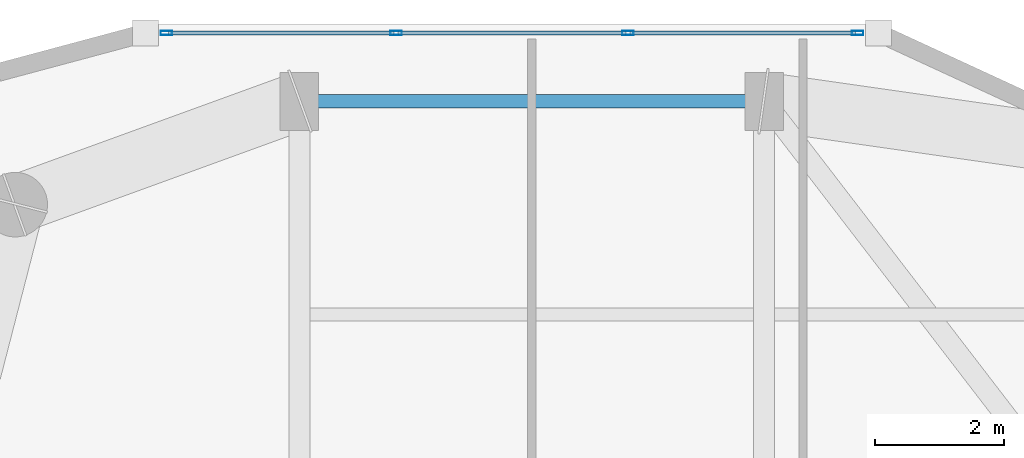
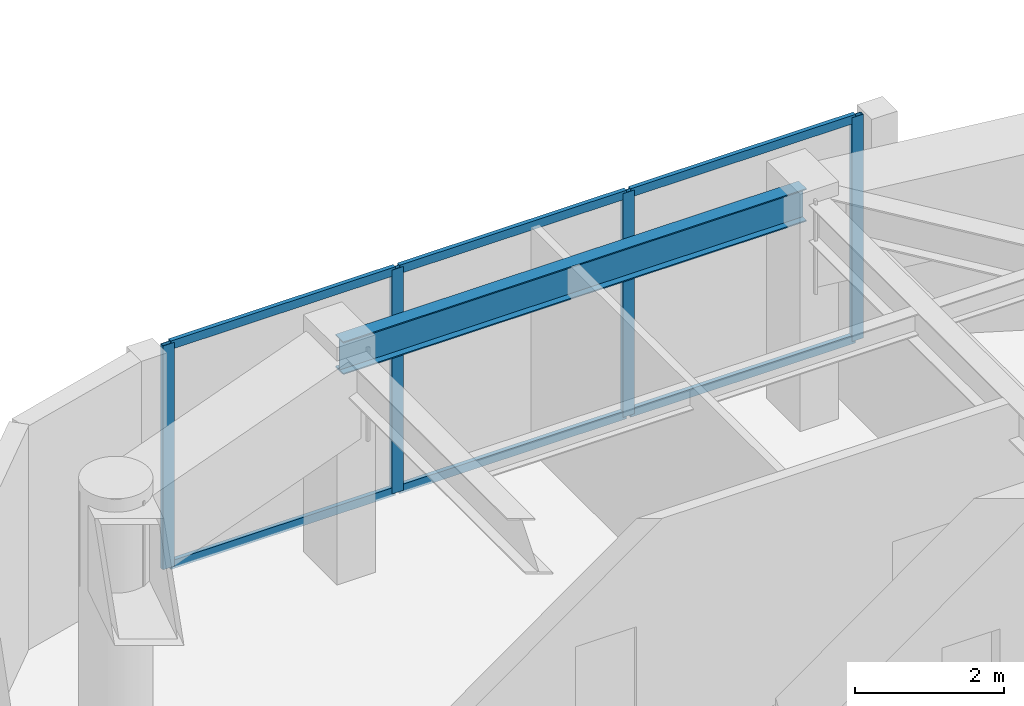
# One storey, part 6 of 15: 10 members, 1 beam, 1 element without a shape of its own.
"""IFC4 building model written with IfcOpenShell, lengths in metres."""

from ifc_helpers import new_model, si_unit, direction, frame, origin, origin_2d, place, context, subcontext, project, spatial, hollow_rectangle, i_section, extrude, material, layer, layer_set, material_profile, profile_set, type_object, element, aggregate, save


model = new_model("IFC4")

# Units and contexts
model_context = context("Model", 3, precision=1e-05, world=origin(), true_north=direction((0.0, 1.0)))
body_context = subcontext(model_context, "Body", "Model", "MODEL_VIEW")
ifc_project = project(units=[si_unit("LENGTHUNIT", "METRE"), si_unit("AREAUNIT", "SQUARE_METRE"), si_unit("VOLUMEUNIT", "CUBIC_METRE"), si_unit("PLANEANGLEUNIT", "RADIAN"), si_unit("MASSUNIT", "GRAM", prefix="KILO")], contexts=[model_context])

# Site, building, storey
site_placement = place(None, origin())
site = spatial("IfcSite", under=ifc_project, at=site_placement, CompositionType="ELEMENT")
building_placement = place(site_placement, origin())
building = spatial("IfcBuilding", under=site, at=building_placement, Name="Kiyonajd Concourse Tower", CompositionType="ELEMENT")
storey_placement = place(building_placement, frame((0.0, 0.0, 270.60009765625)))
storey = spatial("IfcBuildingStorey", under=building, at=storey_placement, Name="L68", CompositionType="ELEMENT", Elevation=270.60009765625)

# Beam
ifc_material_1 = material(Name="Steel ASTM A992 Grade 50", Category="steel")
ifc_material_profile_1 = material_profile(ifc_material_1, i_section(OverallWidth=0.2109375, OverallDepth=0.5390625, WebThickness=0.01171875, FlangeThickness=0.018798828125, at=origin_2d()), Name="W530X109")
ifc_profile_set_1 = profile_set([ifc_material_profile_1], Name="Steel ASTM A992 Grade 50")
beam_type = type_object("IfcBeamType", Name="BM-SPAN-530B", PredefinedType="SPANDREL", material=ifc_profile_set_1)
beam_placement = place(storey_placement, frame((39.60009765625, 52.199951171875, 3.410400390625), z_axis=(-1.0, 0.0, 0.0), x_axis=(0.0, -1.0, 0.0)))
element("IfcBeam", 1, at=beam_placement, inside=storey, type_object=beam_type, Name="L68 Perimeter Bundled Tube Spandrel", PredefinedType="SPANDREL", context=body_context, shape_type="SweptSolid", body=[
    extrude(i_section(OverallWidth=0.2109375, OverallDepth=0.5390625, WebThickness=0.01171875, FlangeThickness=0.018798828125, at=origin_2d()), origin(), (0.0, 0.0, 1.0), 7.2001953125),
])

# Curtain wall, members
ifc_material_2 = material(Name="Thermally Broken Anodised Aluminium", Category="aluminium")
ifc_layer = layer(ifc_material_2, 0.179931640625)
ifc_layer_set = layer_set([ifc_layer], Name="Thermally Broken Anodised Aluminium")
curtain_wall_type = type_object("IfcCurtainWallType", Name="CW-SYS-04", PredefinedType="NOTDEFINED", material=ifc_layer_set)
curtain_wall_placement = place(storey_placement, origin())
curtain_wall = element("IfcCurtainWall", 2, at=curtain_wall_placement, inside=storey, type_object=curtain_wall_type, Name="L68 Unitised Curtain Wall CW4", PredefinedType="NOTDEFINED")
ifc_material_profile_2 = material_profile(ifc_material_2, hollow_rectangle(XDim=0.06494140625, YDim=0.179931640625, WallThickness=0.00390625, at=origin_2d()), Name="MULL-65x180")
ifc_profile_set_2 = profile_set([ifc_material_profile_2], Name="Thermally Broken Anodised Aluminium")
member_type_1 = type_object("IfcMemberType", Name="MB-CW-MULL1", PredefinedType="MULLION", material=ifc_profile_set_2)
member_1_placement = place(storey_placement, frame((30.3408203125, 53.260009765625, 0.0), z_axis=(0.0, 0.0, 1.0), x_axis=(0.0, 1.0, 0.0)))
member_1 = element("IfcMember", 3, at=member_1_placement, type_object=member_type_1, Name="CW4 mullion 1", PredefinedType="MULLION", context=body_context, shape_type="SweptSolid", body=[
    extrude(hollow_rectangle(XDim=0.06494140625, YDim=0.179931640625, WallThickness=0.00390625, at=origin_2d()), origin(), (0.0, 0.0, 1.0), 3.679931640625),
])
member_2_placement = place(storey_placement, frame((33.898681640625, 53.260009765625, 0.0), z_axis=(0.0, 0.0, 1.0), x_axis=(0.0, 1.0, 0.0)))
member_2 = element("IfcMember", 4, at=member_2_placement, type_object=member_type_1, Name="CW4 mullion 2", PredefinedType="MULLION", context=body_context, shape_type="SweptSolid", body=[
    extrude(hollow_rectangle(XDim=0.06494140625, YDim=0.179931640625, WallThickness=0.00390625, at=origin_2d()), origin(), (0.0, 0.0, 1.0), 3.679931640625),
])
member_3_placement = place(storey_placement, frame((37.489013671875, 53.260009765625, 0.0), z_axis=(0.0, 0.0, 1.0), x_axis=(0.0, 1.0, 0.0)))
member_3 = element("IfcMember", 5, at=member_3_placement, type_object=member_type_1, Name="CW4 mullion 3", PredefinedType="MULLION", context=body_context, shape_type="SweptSolid", body=[
    extrude(hollow_rectangle(XDim=0.06494140625, YDim=0.179931640625, WallThickness=0.00390625, at=origin_2d()), origin(), (0.0, 0.0, 1.0), 3.679931640625),
])
member_4_placement = place(storey_placement, frame((41.046875, 53.260009765625, 0.0), z_axis=(0.0, 0.0, 1.0), x_axis=(0.0, 1.0, 0.0)))
member_4 = element("IfcMember", 6, at=member_4_placement, type_object=member_type_1, Name="CW4 mullion 4", PredefinedType="MULLION", context=body_context, shape_type="SweptSolid", body=[
    extrude(hollow_rectangle(XDim=0.06494140625, YDim=0.179931640625, WallThickness=0.00390625, at=origin_2d()), origin(), (0.0, 0.0, 1.0), 3.679931640625),
])
ifc_material_profile_3 = material_profile(ifc_material_2, hollow_rectangle(XDim=0.06494140625, YDim=0.139892578125, WallThickness=0.00390625, at=origin_2d()), Name="TRAN-65x140")
ifc_profile_set_3 = profile_set([ifc_material_profile_3], Name="Thermally Broken Anodised Aluminium")
member_type_2 = type_object("IfcMemberType", Name="MB-CW-TRAN1", PredefinedType="USERDEFINED", material=ifc_profile_set_3)
member_5_placement = place(storey_placement, frame((30.373291015625, 53.260009765625, 0.032470703125), z_axis=(1.0, 0.0, 0.0), x_axis=(0.0, 1.0, 0.0)))
member_5 = element("IfcMember", 7, at=member_5_placement, type_object=member_type_2, Name="CW4 transom 1.1", ObjectType="TRANSOM", PredefinedType="USERDEFINED", context=body_context, shape_type="SweptSolid", body=[
    extrude(hollow_rectangle(XDim=0.06494140625, YDim=0.139892578125, WallThickness=0.00390625, at=origin_2d()), origin(), (0.0, 0.0, 1.0), 3.492919921875),
])
member_6_placement = place(storey_placement, frame((30.373291015625, 53.260009765625, 3.6474609375), z_axis=(1.0, 0.0, 0.0), x_axis=(0.0, 1.0, 0.0)))
member_6 = element("IfcMember", 8, at=member_6_placement, type_object=member_type_2, Name="CW4 transom 1.2", ObjectType="TRANSOM", PredefinedType="USERDEFINED", context=body_context, shape_type="SweptSolid", body=[
    extrude(hollow_rectangle(XDim=0.06494140625, YDim=0.139892578125, WallThickness=0.00390625, at=origin_2d()), origin(), (0.0, 0.0, 1.0), 3.492919921875),
])
member_7_placement = place(storey_placement, frame((33.93115234375, 53.260009765625, 0.032470703125), z_axis=(1.0, 0.0, 0.0), x_axis=(0.0, 1.0, 0.0)))
member_7 = element("IfcMember", 9, at=member_7_placement, type_object=member_type_2, Name="CW4 transom 2.1", ObjectType="TRANSOM", PredefinedType="USERDEFINED", context=body_context, shape_type="SweptSolid", body=[
    extrude(hollow_rectangle(XDim=0.06494140625, YDim=0.139892578125, WallThickness=0.00390625, at=origin_2d()), origin(), (0.0, 0.0, 1.0), 3.525390625),
])
member_8_placement = place(storey_placement, frame((33.93115234375, 53.260009765625, 3.6474609375), z_axis=(1.0, 0.0, 0.0), x_axis=(0.0, 1.0, 0.0)))
member_8 = element("IfcMember", 10, at=member_8_placement, type_object=member_type_2, Name="CW4 transom 2.2", ObjectType="TRANSOM", PredefinedType="USERDEFINED", context=body_context, shape_type="SweptSolid", body=[
    extrude(hollow_rectangle(XDim=0.06494140625, YDim=0.139892578125, WallThickness=0.00390625, at=origin_2d()), origin(), (0.0, 0.0, 1.0), 3.525390625),
])
member_9_placement = place(storey_placement, frame((37.521484375, 53.260009765625, 0.032470703125), z_axis=(1.0, 0.0, 0.0), x_axis=(0.0, 1.0, 0.0)))
member_9 = element("IfcMember", 11, at=member_9_placement, type_object=member_type_2, Name="CW4 transom 3.1", ObjectType="TRANSOM", PredefinedType="USERDEFINED", context=body_context, shape_type="SweptSolid", body=[
    extrude(hollow_rectangle(XDim=0.06494140625, YDim=0.139892578125, WallThickness=0.00390625, at=origin_2d()), origin(), (0.0, 0.0, 1.0), 3.492919921875),
])
member_10_placement = place(storey_placement, frame((37.521484375, 53.260009765625, 3.6474609375), z_axis=(1.0, 0.0, 0.0), x_axis=(0.0, 1.0, 0.0)))
member_10 = element("IfcMember", 12, at=member_10_placement, type_object=member_type_2, Name="CW4 transom 3.2", ObjectType="TRANSOM", PredefinedType="USERDEFINED", context=body_context, shape_type="SweptSolid", body=[
    extrude(hollow_rectangle(XDim=0.06494140625, YDim=0.139892578125, WallThickness=0.00390625, at=origin_2d()), origin(), (0.0, 0.0, 1.0), 3.492919921875),
])
aggregate(curtain_wall, [member_1, member_2, member_3, member_4, member_5, member_6, member_7, member_8, member_9, member_10])

save(model, "model.ifc")
